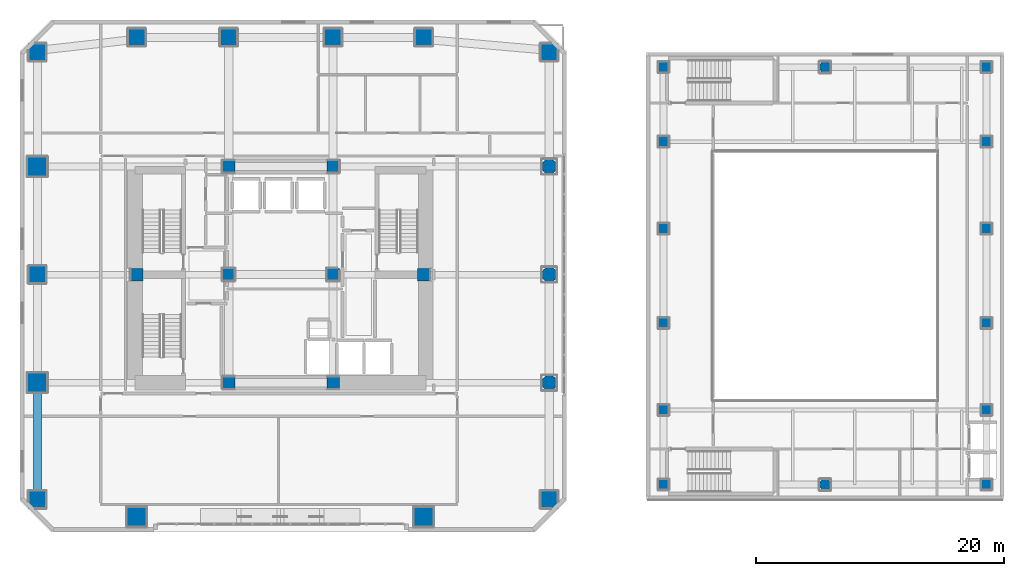
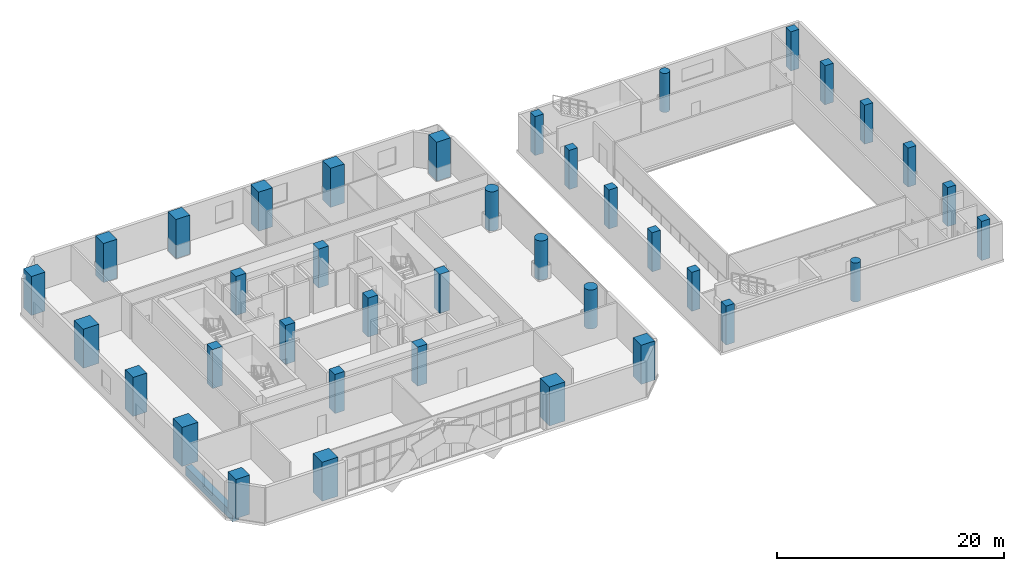
# One storey, part 1 of 22: 38 columns, 1 beam.
"""IFC4 building model written with IfcOpenShell, lengths in metres."""

from ifc_helpers import new_model, si_unit, direction, frame, origin, origin_2d, place, context, subcontext, project, spatial, rectangle, circle, extrude, material, material_profile, profile_set, type_object, element, save


model = new_model("IFC4")

# Units and contexts
model_context = context("Model", 3, precision=1e-05, world=origin(), true_north=direction((0.0, 1.0)))
body_context = subcontext(model_context, "Body", "Model", "MODEL_VIEW")
ifc_project = project(units=[si_unit("LENGTHUNIT", "METRE"), si_unit("AREAUNIT", "SQUARE_METRE"), si_unit("VOLUMEUNIT", "CUBIC_METRE"), si_unit("PLANEANGLEUNIT", "RADIAN"), si_unit("MASSUNIT", "GRAM", prefix="KILO")], contexts=[model_context])

# Site, building, storey
site_placement = place(None, origin())
site = spatial("IfcSite", under=ifc_project, at=site_placement, CompositionType="ELEMENT")
building_placement = place(site_placement, origin())
building = spatial("IfcBuilding", under=site, at=building_placement, Name="Solanera Arch Residences", CompositionType="ELEMENT")
storey_placement = place(building_placement, frame((0.0, 0.0, 13.60009765625)))
storey = spatial("IfcBuildingStorey", under=building, at=storey_placement, Name="L03", CompositionType="ELEMENT", Elevation=13.60009765625)

# Columns
ifc_material_1 = material(Name="Concrete C55/67 (f'c = 60 MPa)", Category="concrete")
ifc_material_profile_1 = material_profile(ifc_material_1, rectangle(XDim=1.0, YDim=1.0, at=origin_2d()))
ifc_profile_set_1 = profile_set([ifc_material_profile_1], Name="Concrete C55/67 (f'c = 60 MPa)")
column_type_1 = type_object("IfcColumnType", Name="Structural Column RC-COL-1000X1000", PredefinedType="COLUMN", material=ifc_profile_set_1)
for number, where, z_axis, x_axis, name in (
    (1, (20.800048828125, 22.0, 0.0), (0.0, 0.0, 1.0), (1.0, 0.0, 0.0), "COL-L03-CB-SW"),
    (2, (29.199951171875, 22.0, 0.0), (0.0, 0.0, 1.0), (1.0, 0.0, 0.0), "COL-L03-CB-SE"),
    (3, (20.800048828125, 39.39990234375, 0.0), (0.0, 0.0, 1.0), (1.0, 0.0, 0.0), "COL-L03-CB-NW"),
    (4, (29.199951171875, 39.39990234375, 0.0), (0.0, 0.0, 1.0), (1.0, 0.0, 0.0), "COL-L03-CB-NE"),
    (5, (13.39990234375, 30.699951171875, 0.0), (0.0, 0.0, 1.0), (1.0, 0.0, 0.0), "COL-L03-CB-WW"),
    (6, (36.5, 30.699951171875, 0.0), (0.0, 0.0, 1.0), (1.0, 0.0, 0.0), "COL-L03-CB-EE"),
    (7, (20.800048828125, 30.699951171875, 0.0), (0.0, 0.0, 1.0), (1.0, 0.0, 0.0), "COL-L03-CORE-W"),
    (8, (29.199951171875, 30.699951171875, 0.0), (0.0, 0.0, 1.0), (1.0, 0.0, 0.0), "COL-L03-CORE-E"),
):
    element("IfcColumn", number, at=place(storey_placement, frame(where, z_axis=z_axis, x_axis=x_axis)), inside=storey, type_object=column_type_1, Name=name, PredefinedType="COLUMN", context=body_context, shape_type="SweptSolid", body=[
        extrude(rectangle(XDim=1.0, YDim=1.0, at=origin_2d()), origin(), (0.0, 0.0, 1.0), 4.199951171875),
    ])
ifc_material_2 = material(Name="Concrete C55/67 (f'c = 60 MPa)", Category="concrete")
ifc_material_profile_2 = material_profile(ifc_material_2, rectangle(XDim=1.39990234375, YDim=1.39990234375, at=origin_2d()))
ifc_profile_set_2 = profile_set([ifc_material_profile_2], Name="Concrete C55/67 (f'c = 60 MPa)")
column_type_2 = type_object("IfcColumnType", Name="Structural Column RC-COL-1400X1400", PredefinedType="COLUMN", material=ifc_profile_set_2)
for number, where, z_axis, x_axis, name in (
    (9, (13.39990234375, 49.800048828125, 0.0), (0.0, 0.0, 1.0), (1.0, 0.0, 0.0), "COL-L03-POD-03"),
    (10, (20.800048828125, 49.800048828125, 0.0), (0.0, 0.0, 1.0), (1.0, 0.0, 0.0), "COL-L03-POD-04"),
    (11, (29.199951171875, 49.800048828125, 0.0), (0.0, 0.0, 1.0), (1.0, 0.0, 0.0), "COL-L03-POD-05"),
    (12, (36.5, 49.800048828125, 0.0), (0.0, 0.0, 1.0), (1.0, 0.0, 0.0), "COL-L03-POD-06"),
    (13, (5.39990234375, 30.699951171875, 0.0), (0.0, 0.0, 1.0), (1.0, 0.0, 0.0), "COL-L03-POD-08"),
    (14, (5.39990234375, 12.60009765625, 0.0), (0.0, 0.0, 1.0), (1.0, 0.0, 0.0), "COL-L03-POD-13"),
    (15, (46.60009765625, 12.60009765625, 0.0), (0.0, 0.0, 1.0), (1.0, 0.0, 0.0), "COL-L03-POD-14"),
    (16, (5.39990234375, 48.60009765625, 0.0), (0.0, 0.0, 1.0), (1.0, 0.0, 0.0), "COL-L03-POD-15"),
    (17, (46.60009765625, 48.60009765625, 0.0), (0.0, 0.0, 1.0), (1.0, 0.0, 0.0), "COL-L03-POD-16"),
):
    element("IfcColumn", number, at=place(storey_placement, frame(where, z_axis=z_axis, x_axis=x_axis)), inside=storey, type_object=column_type_2, Name=name, PredefinedType="COLUMN", context=body_context, shape_type="SweptSolid", body=[
        extrude(rectangle(XDim=1.39990234375, YDim=1.39990234375, at=origin_2d()), origin(), (0.0, 0.0, 1.0), 4.199951171875),
    ])
ifc_material_3 = material(Name="Concrete C55/67 (f'c = 60 MPa)", Category="concrete")
ifc_material_profile_3 = material_profile(ifc_material_3, rectangle(XDim=1.60009765625, YDim=1.60009765625, at=origin_2d()))
ifc_profile_set_3 = profile_set([ifc_material_profile_3], Name="Concrete C55/67 (f'c = 60 MPa)")
column_type_3 = type_object("IfcColumnType", Name="Structural Column RC-COL-1600X1600", PredefinedType="COLUMN", material=ifc_profile_set_3)
for number, where, z_axis, x_axis, name in (
    (18, (13.39990234375, 11.199951171875, 0.0), (0.0, 0.0, 1.0), (1.0, 0.0, 0.0), "COL-L03-POD-01"),
    (19, (36.5, 11.199951171875, 0.0), (0.0, 0.0, 1.0), (1.0, 0.0, 0.0), "COL-L03-POD-02"),
    (20, (5.39990234375, 22.0, 0.0), (0.0, 0.0, 1.0), (1.0, 0.0, 0.0), "COL-L03-POD-07"),
    (21, (5.39990234375, 39.39990234375, 0.0), (0.0, 0.0, 1.0), (1.0, 0.0, 0.0), "COL-L03-POD-09"),
):
    element("IfcColumn", number, at=place(storey_placement, frame(where, z_axis=z_axis, x_axis=x_axis)), inside=storey, type_object=column_type_3, Name=name, PredefinedType="COLUMN", context=body_context, shape_type="SweptSolid", body=[
        extrude(rectangle(XDim=1.60009765625, YDim=1.60009765625, at=origin_2d()), origin(), (0.0, 0.0, 1.0), 4.199951171875),
    ])
ifc_material_4 = material(Name="Concrete C40/50 (f'c = 45 MPa)", Category="concrete")
ifc_material_profile_4 = material_profile(ifc_material_4, rectangle(XDim=0.85009765625, YDim=0.85009765625, at=origin_2d()))
ifc_profile_set_4 = profile_set([ifc_material_profile_4], Name="Concrete C40/50 (f'c = 45 MPa)")
column_type_4 = type_object("IfcColumnType", Name="Structural Column RC-COL-850X850", PredefinedType="COLUMN", material=ifc_profile_set_4)
for number, where, z_axis, x_axis, name in (
    (22, (55.800048828125, 13.800048828125, 0.0), (0.0, 0.0, 1.0), (1.0, 0.0, 0.0), "COL-L03-HALL-01"),
    (23, (55.800048828125, 19.800048828125, 0.0), (0.0, 0.0, 1.0), (1.0, 0.0, 0.0), "COL-L03-HALL-02"),
    (24, (55.800048828125, 26.800048828125, 0.0), (0.0, 0.0, 1.0), (1.0, 0.0, 0.0), "COL-L03-HALL-03"),
    (25, (55.800048828125, 34.39990234375, 0.0), (0.0, 0.0, 1.0), (1.0, 0.0, 0.0), "COL-L03-HALL-04"),
    (26, (55.800048828125, 41.39990234375, 0.0), (0.0, 0.0, 1.0), (1.0, 0.0, 0.0), "COL-L03-HALL-05"),
    (27, (55.800048828125, 47.39990234375, 0.0), (0.0, 0.0, 1.0), (1.0, 0.0, 0.0), "COL-L03-HALL-06"),
    (28, (81.800048828125, 13.800048828125, 0.0), (0.0, 0.0, 1.0), (1.0, 0.0, 0.0), "COL-L03-HALL-07"),
    (29, (81.800048828125, 19.800048828125, 0.0), (0.0, 0.0, 1.0), (1.0, 0.0, 0.0), "COL-L03-HALL-08"),
    (30, (81.800048828125, 26.800048828125, 0.0), (0.0, 0.0, 1.0), (1.0, 0.0, 0.0), "COL-L03-HALL-09"),
    (31, (81.800048828125, 34.39990234375, 0.0), (0.0, 0.0, 1.0), (1.0, 0.0, 0.0), "COL-L03-HALL-10"),
    (32, (81.800048828125, 41.39990234375, 0.0), (0.0, 0.0, 1.0), (1.0, 0.0, 0.0), "COL-L03-HALL-11"),
    (33, (81.800048828125, 47.39990234375, 0.0), (0.0, 0.0, 1.0), (1.0, 0.0, 0.0), "COL-L03-HALL-12"),
):
    element("IfcColumn", number, at=place(storey_placement, frame(where, z_axis=z_axis, x_axis=x_axis)), inside=storey, type_object=column_type_4, Name=name, PredefinedType="COLUMN", context=body_context, shape_type="SweptSolid", body=[
        extrude(rectangle(XDim=0.85009765625, YDim=0.85009765625, at=origin_2d()), origin(), (0.0, 0.0, 1.0), 4.199951171875),
    ])
ifc_material_5 = material(Name="Concrete C55/67 (f'c = 60 MPa)", Category="concrete")
ifc_material_profile_5 = material_profile(ifc_material_5, circle(Radius=0.60009765625, at=origin_2d()))
ifc_profile_set_5 = profile_set([ifc_material_profile_5], Name="Concrete C55/67 (f'c = 60 MPa)")
column_type_5 = type_object("IfcColumnType", Name="Structural Column RC-COL-D1200", PredefinedType="COLUMN", material=ifc_profile_set_5)
for number, where, z_axis, x_axis, name in (
    (34, (46.60009765625, 22.0, 0.0), (0.0, 0.0, 1.0), (1.0, 0.0, 0.0), "COL-L03-POD-10"),
    (35, (46.60009765625, 30.699951171875, 0.0), (0.0, 0.0, 1.0), (1.0, 0.0, 0.0), "COL-L03-POD-11"),
    (36, (46.60009765625, 39.39990234375, 0.0), (0.0, 0.0, 1.0), (1.0, 0.0, 0.0), "COL-L03-POD-12"),
):
    element("IfcColumn", number, at=place(storey_placement, frame(where, z_axis=z_axis, x_axis=x_axis)), inside=storey, type_object=column_type_5, Name=name, PredefinedType="COLUMN", context=body_context, shape_type="SweptSolid", body=[
        extrude(circle(Radius=0.60009765625, at=origin_2d()), origin(), (0.0, 0.0, 1.0), 4.199951171875),
    ])
ifc_material_6 = material(Name="Concrete C40/50 (f'c = 45 MPa)", Category="concrete")
ifc_material_profile_6 = material_profile(ifc_material_6, circle(Radius=0.449951171875, at=origin_2d()))
ifc_profile_set_6 = profile_set([ifc_material_profile_6], Name="Concrete C40/50 (f'c = 45 MPa)")
column_type_6 = type_object("IfcColumnType", Name="Structural Column RC-COL-D900", PredefinedType="COLUMN", material=ifc_profile_set_6)
for number, where, z_axis, x_axis, name in (
    (37, (68.800048828125, 13.800048828125, 0.0), (0.0, 0.0, 1.0), (1.0, 0.0, 0.0), "COL-L03-HALL-13"),
    (38, (68.800048828125, 47.39990234375, 0.0), (0.0, 0.0, 1.0), (1.0, 0.0, 0.0), "COL-L03-HALL-14"),
):
    element("IfcColumn", number, at=place(storey_placement, frame(where, z_axis=z_axis, x_axis=x_axis)), inside=storey, type_object=column_type_6, Name=name, PredefinedType="COLUMN", context=body_context, shape_type="SweptSolid", body=[
        extrude(circle(Radius=0.449951171875, at=origin_2d()), origin(), (0.0, 0.0, 1.0), 4.199951171875),
    ])

# Beam
ifc_material_7 = material(Name="Concrete C40/50 (f'c = 45 MPa)", Category="concrete")
ifc_material_profile_7 = material_profile(ifc_material_7, rectangle(XDim=0.64990234375, YDim=0.949951171875, at=origin_2d()))
ifc_profile_set_7 = profile_set([ifc_material_profile_7], Name="Concrete C40/50 (f'c = 45 MPa)")
beam_type = type_object("IfcBeamType", Name="Primary Beam RC-BM-650X950", PredefinedType="BEAM", material=ifc_profile_set_7)
beam_placement = place(storey_placement, frame((5.39990234375, 13.139892578125, -0.755126953125), z_axis=(0.0, 1.0, 0.0), x_axis=(-1.0, 0.0, 0.0)))
element("IfcBeam", 39, at=beam_placement, inside=storey, type_object=beam_type, Name="BM-L03-POD-W1", PredefinedType="BEAM", context=body_context, shape_type="SweptSolid", body=[
    extrude(rectangle(XDim=0.64990234375, YDim=0.949951171875, at=origin_2d()), origin(), (0.0, 0.0, 1.0), 8.320068359375),
])

save(model, "model.ifc")
